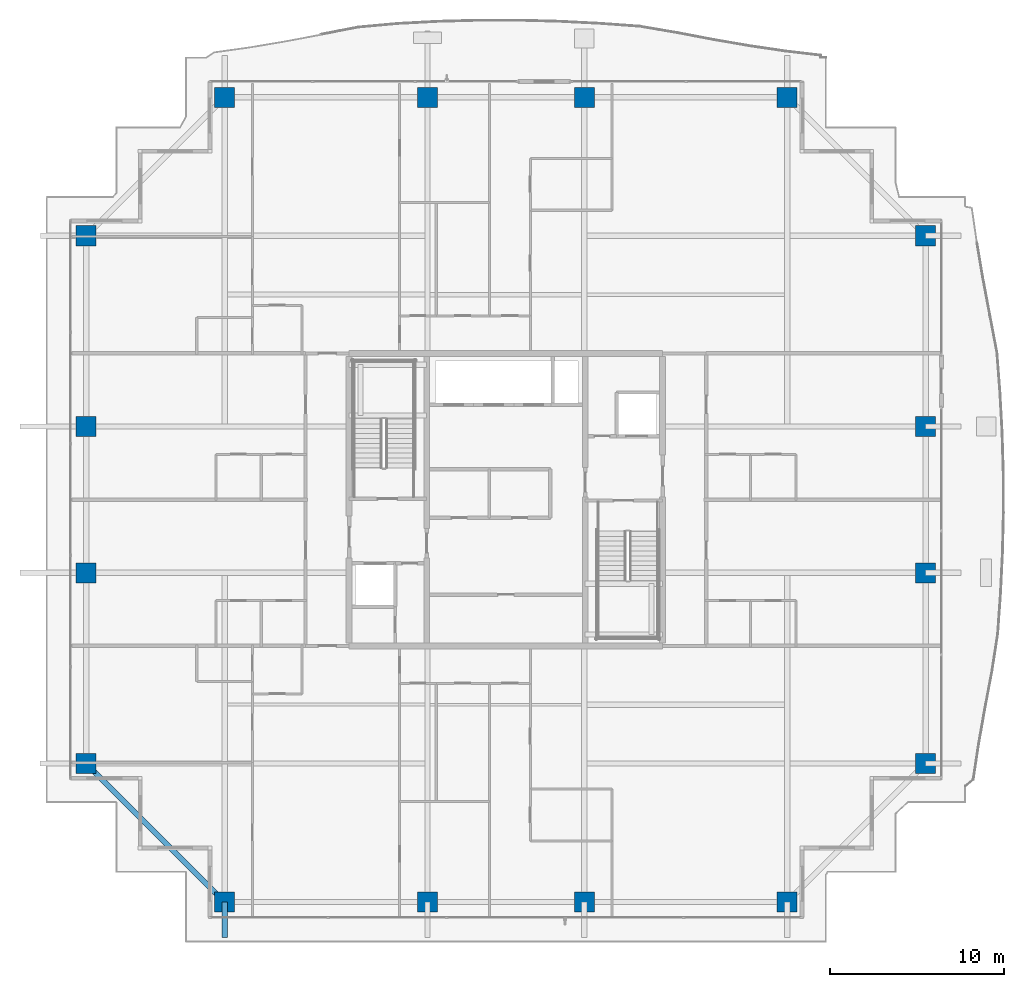
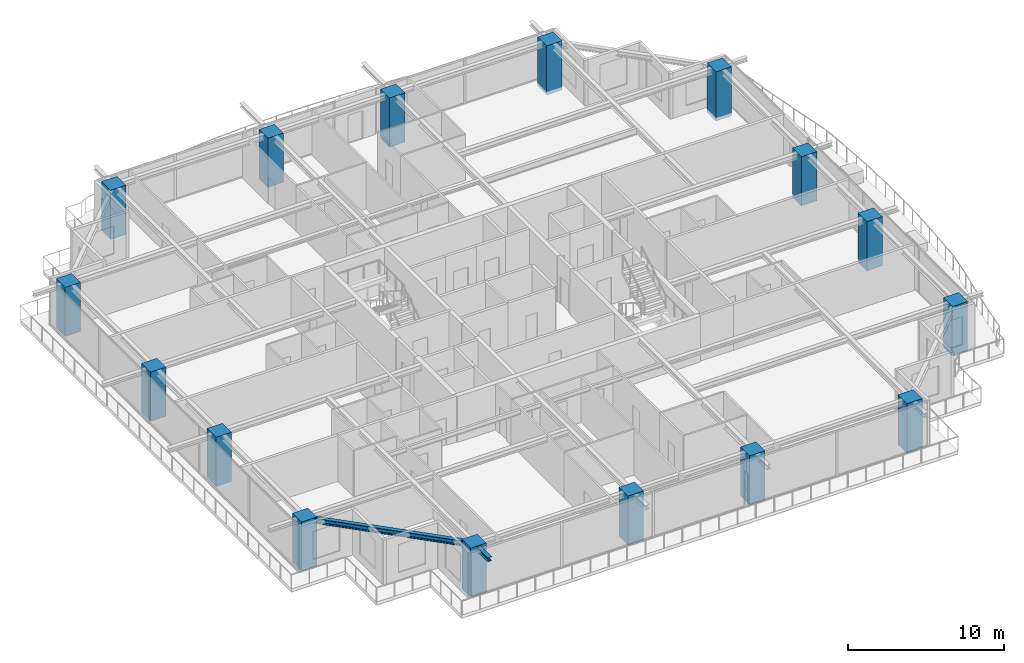
# One storey, part 1 of 38: 16 columns, 2 beams.
"""IFC4 building model written with IfcOpenShell, lengths in metres."""

from ifc_helpers import new_model, si_unit, direction, frame, origin, origin_2d, place, context, subcontext, project, spatial, rectangle, i_section, extrude, source, transform, mapped, material, material_profile, profile_set, type_object, element, save


model = new_model("IFC4")

# Units and contexts
model_context = context("Model", 3, precision=1e-05, world=origin(), true_north=direction((0.0, 1.0)))
body_context = subcontext(model_context, "Body", "Model", "MODEL_VIEW")
ifc_project = project(units=[si_unit("LENGTHUNIT", "METRE"), si_unit("AREAUNIT", "SQUARE_METRE"), si_unit("VOLUMEUNIT", "CUBIC_METRE"), si_unit("PLANEANGLEUNIT", "RADIAN"), si_unit("MASSUNIT", "GRAM", prefix="KILO")], contexts=[model_context])

# Site, building, storey
site_placement = place(None, origin())
site = spatial("IfcSite", under=ifc_project, at=site_placement, CompositionType="ELEMENT")
building_placement = place(site_placement, origin())
building = spatial("IfcBuilding", under=site, at=building_placement, Name="Serunith Strait Residences", CompositionType="ELEMENT")
storey_placement = place(building_placement, frame((0.0, 0.0, 264.35009765625)))
storey = spatial("IfcBuildingStorey", under=building, at=storey_placement, Name="L66", CompositionType="ELEMENT", Elevation=264.35009765625)

# Columns
ifc_material_1 = material(Name="Concrete C80/95", Category="concrete")
ifc_material_profile_1 = material_profile(ifc_material_1, rectangle(XDim=1.14990234375, YDim=1.14990234375, at=origin_2d()), Name="RC 1150x1150")
ifc_profile_set_1 = profile_set([ifc_material_profile_1], Name="Concrete C80/95")
column_type = type_object("IfcColumnType", Name="COL-RC-1150", PredefinedType="COLUMN", material=ifc_profile_set_1)
shared_shape_1 = source(origin(), body_context, "Body", "SweptSolid", [
    extrude(rectangle(XDim=1.14990234375, YDim=1.14990234375, at=origin_2d()), origin(), (0.0, 0.0, 1.0), 3.849853515625),
])
for number, where, z_axis, x_axis, name in (
    (1, (16.25, 2.10009765625, -0.260009765625), (0.0, 0.0, 1.0), (1.0, 0.0, 0.0), "L66 Tower Mega-Column TC-S1"),
    (2, (27.89990234375, 2.10009765625, -0.260009765625), (0.0, 0.0, 1.0), (1.0, 0.0, 0.0), "L66 Tower Mega-Column TC-S2"),
    (3, (36.89990234375, 2.10009765625, -0.260009765625), (0.0, 0.0, 1.0), (1.0, 0.0, 0.0), "L66 Tower Mega-Column TC-S3"),
    (4, (48.550048828125, 2.10009765625, -0.260009765625), (0.0, 0.0, 1.0), (1.0, 0.0, 0.0), "L66 Tower Mega-Column TC-S4"),
    (5, (16.25, 48.300048828125, -0.260009765625), (0.0, 0.0, 1.0), (1.0, 0.0, 0.0), "L66 Tower Mega-Column TC-N1"),
    (6, (27.89990234375, 48.300048828125, -0.260009765625), (0.0, 0.0, 1.0), (1.0, 0.0, 0.0), "L66 Tower Mega-Column TC-N2"),
    (7, (36.89990234375, 48.300048828125, -0.260009765625), (0.0, 0.0, 1.0), (1.0, 0.0, 0.0), "L66 Tower Mega-Column TC-N3"),
    (8, (48.550048828125, 48.300048828125, -0.260009765625), (0.0, 0.0, 1.0), (1.0, 0.0, 0.0), "L66 Tower Mega-Column TC-N4"),
    (9, (56.5, 10.050048828125, -0.260009765625), (0.0, 0.0, 1.0), (1.0, 0.0, 0.0), "L66 Tower Mega-Column TC-E1"),
    (10, (56.5, 21.0, -0.260009765625), (0.0, 0.0, 1.0), (1.0, 0.0, 0.0), "L66 Tower Mega-Column TC-E2"),
    (11, (56.5, 29.39990234375, -0.260009765625), (0.0, 0.0, 1.0), (1.0, 0.0, 0.0), "L66 Tower Mega-Column TC-E3"),
    (12, (56.5, 40.35009765625, -0.260009765625), (0.0, 0.0, 1.0), (1.0, 0.0, 0.0), "L66 Tower Mega-Column TC-E4"),
    (13, (8.300048828125, 10.050048828125, -0.260009765625), (0.0, 0.0, 1.0), (1.0, 0.0, 0.0), "L66 Tower Mega-Column TC-W1"),
    (14, (8.300048828125, 21.0, -0.260009765625), (0.0, 0.0, 1.0), (1.0, 0.0, 0.0), "L66 Tower Mega-Column TC-W2"),
    (15, (8.300048828125, 29.39990234375, -0.260009765625), (0.0, 0.0, 1.0), (1.0, 0.0, 0.0), "L66 Tower Mega-Column TC-W3"),
    (16, (8.300048828125, 40.35009765625, -0.260009765625), (0.0, 0.0, 1.0), (1.0, 0.0, 0.0), "L66 Tower Mega-Column TC-W4"),
):
    element("IfcColumn", number, at=place(storey_placement, frame(where, z_axis=z_axis, x_axis=x_axis)), inside=storey, type_object=column_type, Name=name, PredefinedType="COLUMN", context=body_context, shape_type="MappedRepresentation", body=[
        mapped(shared_shape_1, transform((0.0, 0.0, 0.0), scale=1.0)),
    ])

# Beams
ifc_material_2 = material(Name="Steel S355J2", Category="steel")
ifc_material_profile_2 = material_profile(ifc_material_2, i_section(OverallWidth=0.300048828125, OverallDepth=0.39990234375, WebThickness=0.013427734375, FlangeThickness=0.02392578125, FilletRadius=0.027099609375, at=origin_2d()), Name="HEB 400")
ifc_profile_set_2 = profile_set([ifc_material_profile_2], Name="Steel S355J2")
beam_type_1 = type_object("IfcBeamType", Name="BM-HEB400", PredefinedType="BEAM", material=ifc_profile_set_2)
shared_shape_2 = source(origin(), body_context, "Body", "SweptSolid", [
    extrude(i_section(OverallWidth=0.300048828125, OverallDepth=0.39990234375, WebThickness=0.013427734375, FlangeThickness=0.02392578125, FilletRadius=0.027099609375, at=origin_2d()), origin(), (0.0, 0.0, 1.0), 11.242919921875),
])
beam_1_placement = place(storey_placement, frame((8.300048828125, 10.050048828125, 3.35693359375), z_axis=(0.707106781187, -0.707106781187, 0.0), x_axis=(0.707106781187, 0.707106781187, 0.0)))
element("IfcBeam", 17, at=beam_1_placement, inside=storey, type_object=beam_type_1, Name="L66 Perimeter Ring Beam 16", PredefinedType="BEAM", context=body_context, shape_type="MappedRepresentation", body=[
    mapped(shared_shape_2, transform((0.0, 0.0, 0.0), scale=1.0)),
])
ifc_material_profile_3 = material_profile(ifc_material_2, i_section(OverallWidth=0.300048828125, OverallDepth=0.320068359375, WebThickness=0.011474609375, FlangeThickness=0.0205078125, FilletRadius=0.027099609375, at=origin_2d()), Name="HEB 320")
ifc_profile_set_3 = profile_set([ifc_material_profile_3], Name="Steel S355J2")
beam_type_2 = type_object("IfcBeamType", Name="BM-HEB320", PredefinedType="BEAM", material=ifc_profile_set_3)
shared_shape_3 = source(origin(), body_context, "Body", "SweptSolid", [
    extrude(i_section(OverallWidth=0.300048828125, OverallDepth=0.320068359375, WebThickness=0.011474609375, FlangeThickness=0.0205078125, FilletRadius=0.027099609375, at=origin_2d()), origin(), (0.0, 0.0, 1.0), 2.030029296875),
])
beam_2_placement = place(storey_placement, frame((16.25, 2.10009765625, 3.39697265625), z_axis=(0.0, -1.0, 0.0), x_axis=(1.0, 0.0, 0.0)))
element("IfcBeam", 18, at=beam_2_placement, inside=storey, type_object=beam_type_2, Name="L67 Cantilevered Balcony Rib TC-S1", PredefinedType="BEAM", context=body_context, shape_type="MappedRepresentation", body=[
    mapped(shared_shape_3, transform((0.0, 0.0, 0.0), scale=1.0)),
])

save(model, "model.ifc")
